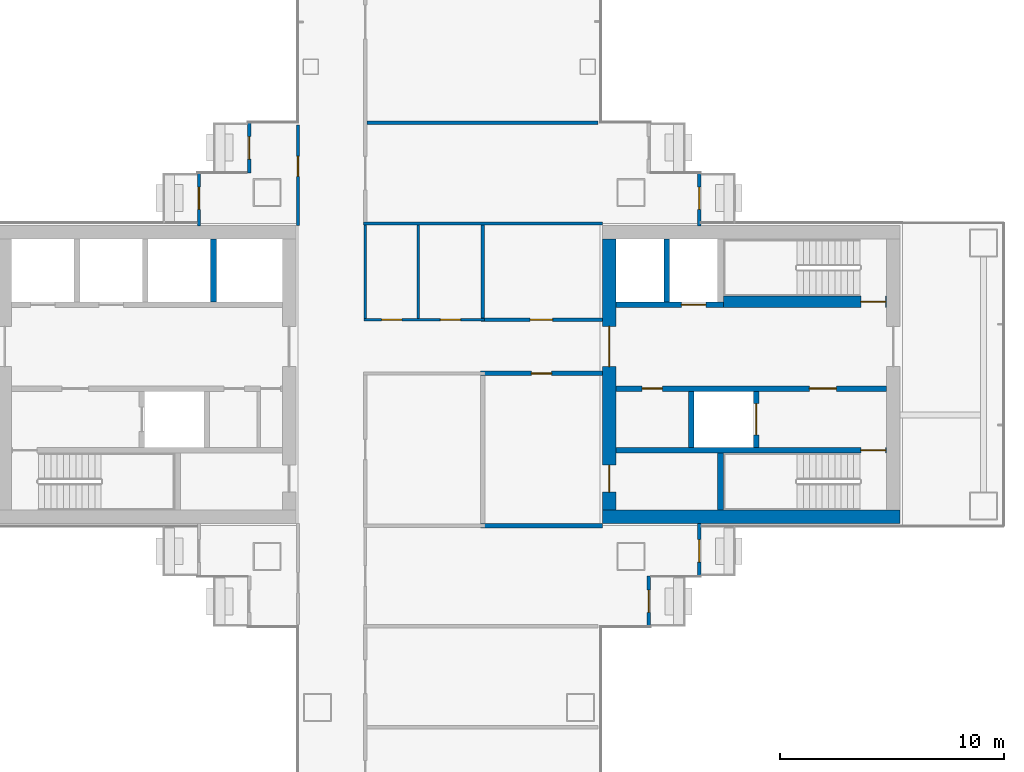
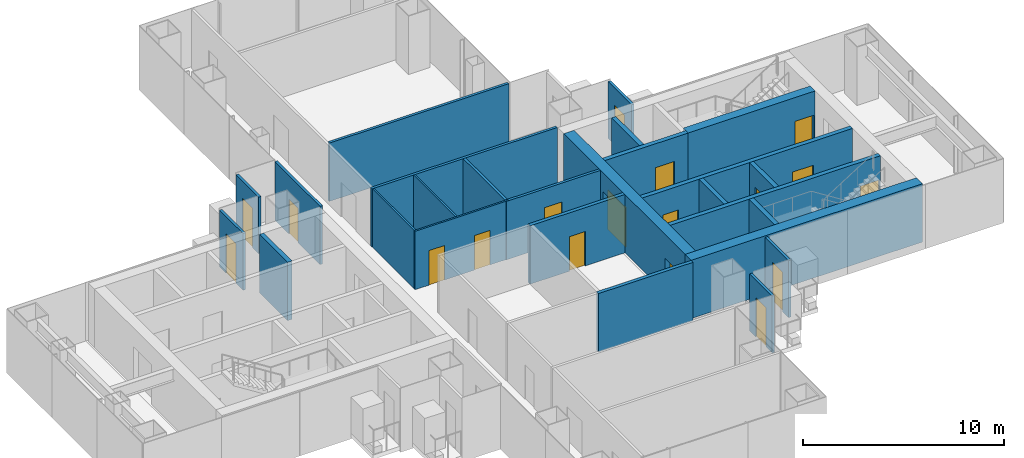
# One storey, part 15 of 20: 26 walls, 18 doors, 18 openings.
"""IFC4 building model written with IfcOpenShell, lengths in metres."""

from ifc_helpers import new_model, si_unit, direction, frame, frame_2d, origin, place, context, subcontext, project, spatial, rectangle, extrude, material, layer, layer_set, type_object, element, fill, save


model = new_model("IFC4")

# Units and contexts
model_context = context("Model", 3, precision=1e-05, world=origin(), true_north=direction((0.0, 1.0)))
body_context = subcontext(model_context, "Body", "Model", "MODEL_VIEW")
ifc_project = project(units=[si_unit("LENGTHUNIT", "METRE"), si_unit("AREAUNIT", "SQUARE_METRE"), si_unit("VOLUMEUNIT", "CUBIC_METRE"), si_unit("PLANEANGLEUNIT", "RADIAN"), si_unit("MASSUNIT", "GRAM", prefix="KILO")], contexts=[model_context])

# Site, building, storey
site_placement = place(None, origin())
site = spatial("IfcSite", under=ifc_project, at=site_placement, CompositionType="ELEMENT")
building_placement = place(site_placement, origin())
building = spatial("IfcBuilding", under=site, at=building_placement, Name="Shamsa Quay Exchange Towers", CompositionType="ELEMENT")
storey_placement = place(building_placement, frame((0.0, 0.0, 109.199951171875)))
storey = spatial("IfcBuildingStorey", under=building, at=storey_placement, Name="L25", CompositionType="ELEMENT", Elevation=109.199951171875)

# Wall, opening, door
ifc_material_1 = material(Name="Aluminium EN AW-6063 T6, black anodised, with black enamelled glass infill", Category="aluminium")
ifc_layer_1 = layer(ifc_material_1, 0.14990234375)
ifc_layer_set_1 = layer_set([ifc_layer_1], Name="BALCONY DOOR BAY WALL 150")
wall_type_1 = type_object("IfcWallType", Name="BALCONY DOOR BAY WALL 150", PredefinedType="SOLIDWALL", material=ifc_layer_set_1)
wall_1_placement = place(storey_placement, frame((24.824951171875, 9.0, 0.0), z_axis=(0.0, 0.0, 1.0), x_axis=(0.0, 1.0, 0.0)))
wall_1 = element("IfcWall", 1, at=wall_1_placement, inside=storey, type_object=wall_type_1, Name="Door bay T2-PKEN L25", PredefinedType="SOLIDWALL", context=body_context, shape_type="SweptSolid", body=[
    extrude(rectangle(XDim=2.25, YDim=0.14990234375, at=frame_2d((1.125, 0.0))), origin(), (0.0, 0.0, 1.0), 3.449951171875),
])
opening_1_placement = place(wall_1_placement, frame((0.625, 0.0, 0.0)))
opening_1 = element("IfcOpeningElement", 2, at=opening_1_placement, cuts=wall_1, Name="Opening XD161", PredefinedType="OPENING", context=body_context, shape_type="SweptSolid", body=[
    extrude(rectangle(XDim=1.0, YDim=2.39990234375, at=frame_2d((0.5, 1.199951171875))), frame((0.0, 0.0849609375, 0.0), z_axis=(0.0, -1.0, 0.0), x_axis=(1.0, 0.0, 0.0)), (0.0, 0.0, 1.0), 0.169921875),
])
ifc_material_2 = material(Name="Aluminium EN AW-6063 T6, black anodised, with laminated glass leaf", Category="aluminium")
door_type_1 = type_object("IfcDoorType", Name="BALCONY DOOR 1000x2400", OperationType="SINGLE_SWING_LEFT", PredefinedType="DOOR", material=ifc_material_2)
door_1_placement = place(opening_1_placement, origin())
door_1 = element("IfcDoor", 3, at=door_1_placement, inside=storey, type_object=door_type_1, Name="Balcony door T2-PKEN L25", OperationType="SINGLE_SWING_RIGHT", OverallHeight=2.39990234375, OverallWidth=1.0, PredefinedType="DOOR", context=body_context, shape_type="SweptSolid", body=[
    extrude(rectangle(XDim=1.0, YDim=2.39990234375, at=frame_2d((0.5, 1.199951171875))), frame((0.0, 0.02490234375, 0.0), z_axis=(0.0, -1.0, 0.0), x_axis=(1.0, 0.0, 0.0)), (0.0, 0.0, 1.0), 0.050048828125),
])
fill(opening_1, door_1)

wall_2_placement = place(storey_placement, frame((22.574951171875, 6.64306640625, 0.0), z_axis=(0.0, 0.0, 1.0), x_axis=(0.0, 1.0, 0.0)))
wall_2 = element("IfcWall", 4, at=wall_2_placement, inside=storey, type_object=wall_type_1, Name="Door bay T2-PKEN L25", PredefinedType="SOLIDWALL", context=body_context, shape_type="SweptSolid", body=[
    extrude(rectangle(XDim=2.35693359375, YDim=0.14990234375, at=frame_2d((1.178466796875, 0.0))), origin(), (0.0, 0.0, 1.0), 3.449951171875),
])
opening_2_placement = place(wall_2_placement, frame((0.73193359375, 0.0, 0.0)))
opening_2 = element("IfcOpeningElement", 5, at=opening_2_placement, cuts=wall_2, Name="Opening XD162", PredefinedType="OPENING", context=body_context, shape_type="SweptSolid", body=[
    extrude(rectangle(XDim=1.0, YDim=2.39990234375, at=frame_2d((0.5, 1.199951171875))), frame((0.0, 0.0849609375, 0.0), z_axis=(0.0, -1.0, 0.0), x_axis=(1.0, 0.0, 0.0)), (0.0, 0.0, 1.0), 0.169921875),
])
door_2_placement = place(opening_2_placement, origin())
door_2 = element("IfcDoor", 6, at=door_2_placement, inside=storey, type_object=door_type_1, Name="Balcony door T2-PKEN L25", OperationType="SINGLE_SWING_LEFT", OverallHeight=2.39990234375, OverallWidth=1.0, PredefinedType="DOOR", context=body_context, shape_type="SweptSolid", body=[
    extrude(rectangle(XDim=1.0, YDim=2.39990234375, at=frame_2d((0.5, 1.199951171875))), frame((0.0, 0.02490234375, 0.0), z_axis=(0.0, -1.0, 0.0), x_axis=(1.0, 0.0, 0.0)), (0.0, 0.0, 1.0), 0.050048828125),
])
fill(opening_2, door_2)

wall_3_placement = place(storey_placement, frame((44.925048828125, 9.0, 0.0), z_axis=(0.0, 0.0, 1.0), x_axis=(0.0, -1.0, 0.0)))
wall_3 = element("IfcWall", 7, at=wall_3_placement, inside=storey, type_object=wall_type_1, Name="Door bay T2-PKES L25", PredefinedType="SOLIDWALL", context=body_context, shape_type="SweptSolid", body=[
    extrude(rectangle(XDim=2.35693359375, YDim=0.14990234375, at=frame_2d((1.178466796875, 0.0))), origin(), (0.0, 0.0, 1.0), 3.449951171875),
])
opening_3_placement = place(wall_3_placement, frame((0.625, 0.0, 0.0)))
opening_3 = element("IfcOpeningElement", 8, at=opening_3_placement, cuts=wall_3, Name="Opening XD164", PredefinedType="OPENING", context=body_context, shape_type="SweptSolid", body=[
    extrude(rectangle(XDim=1.0, YDim=2.39990234375, at=frame_2d((0.5, 1.199951171875))), frame((0.0, 0.0849609375, 0.0), z_axis=(0.0, -1.0, 0.0), x_axis=(1.0, 0.0, 0.0)), (0.0, 0.0, 1.0), 0.169921875),
])
door_3_placement = place(opening_3_placement, origin())
door_3 = element("IfcDoor", 9, at=door_3_placement, inside=storey, type_object=door_type_1, Name="Balcony door T2-PKES L25", OperationType="SINGLE_SWING_LEFT", OverallHeight=2.39990234375, OverallWidth=1.0, PredefinedType="DOOR", context=body_context, shape_type="SweptSolid", body=[
    extrude(rectangle(XDim=1.0, YDim=2.39990234375, at=frame_2d((0.5, 1.199951171875))), frame((0.0, 0.02490234375, 0.0), z_axis=(0.0, -1.0, 0.0), x_axis=(1.0, 0.0, 0.0)), (0.0, 0.0, 1.0), 0.050048828125),
])
fill(opening_3, door_3)

wall_4_placement = place(storey_placement, frame((42.675048828125, -9.0, 0.0), z_axis=(0.0, 0.0, 1.0), x_axis=(0.0, -1.0, 0.0)))
wall_4 = element("IfcWall", 10, at=wall_4_placement, inside=storey, type_object=wall_type_1, Name="Door bay T2-PKWS L25", PredefinedType="SOLIDWALL", context=body_context, shape_type="SweptSolid", body=[
    extrude(rectangle(XDim=2.25, YDim=0.14990234375, at=frame_2d((1.125, 0.0))), origin(), (0.0, 0.0, 1.0), 3.449951171875),
])
opening_4_placement = place(wall_4_placement, frame((0.625, 0.0, 0.0)))
opening_4 = element("IfcOpeningElement", 11, at=opening_4_placement, cuts=wall_4, Name="Opening XD167", PredefinedType="OPENING", context=body_context, shape_type="SweptSolid", body=[
    extrude(rectangle(XDim=1.0, YDim=2.39990234375, at=frame_2d((0.5, 1.199951171875))), frame((0.0, 0.0849609375, 0.0), z_axis=(0.0, -1.0, 0.0), x_axis=(1.0, 0.0, 0.0)), (0.0, 0.0, 1.0), 0.169921875),
])
door_4_placement = place(opening_4_placement, origin())
door_4 = element("IfcDoor", 12, at=door_4_placement, inside=storey, type_object=door_type_1, Name="Balcony door T2-PKWS L25", OperationType="SINGLE_SWING_LEFT", OverallHeight=2.39990234375, OverallWidth=1.0, PredefinedType="DOOR", context=body_context, shape_type="SweptSolid", body=[
    extrude(rectangle(XDim=1.0, YDim=2.39990234375, at=frame_2d((0.5, 1.199951171875))), frame((0.0, 0.02490234375, 0.0), z_axis=(0.0, -1.0, 0.0), x_axis=(1.0, 0.0, 0.0)), (0.0, 0.0, 1.0), 0.050048828125),
])
fill(opening_4, door_4)

wall_5_placement = place(storey_placement, frame((44.925048828125, -6.64306640625, 0.0), z_axis=(0.0, 0.0, 1.0), x_axis=(0.0, -1.0, 0.0)))
wall_5 = element("IfcWall", 13, at=wall_5_placement, inside=storey, type_object=wall_type_1, Name="Door bay T2-PKWS L25", PredefinedType="SOLIDWALL", context=body_context, shape_type="SweptSolid", body=[
    extrude(rectangle(XDim=2.35693359375, YDim=0.14990234375, at=frame_2d((1.178466796875, 0.0))), origin(), (0.0, 0.0, 1.0), 3.449951171875),
])
opening_5_placement = place(wall_5_placement, frame((0.73193359375, 0.0, 0.0)))
opening_5 = element("IfcOpeningElement", 14, at=opening_5_placement, cuts=wall_5, Name="Opening XD168", PredefinedType="OPENING", context=body_context, shape_type="SweptSolid", body=[
    extrude(rectangle(XDim=1.0, YDim=2.39990234375, at=frame_2d((0.5, 1.199951171875))), frame((0.0, 0.0849609375, 0.0), z_axis=(0.0, -1.0, 0.0), x_axis=(1.0, 0.0, 0.0)), (0.0, 0.0, 1.0), 0.169921875),
])
door_5_placement = place(opening_5_placement, origin())
door_5 = element("IfcDoor", 15, at=door_5_placement, inside=storey, type_object=door_type_1, Name="Balcony door T2-PKWS L25", OperationType="SINGLE_SWING_RIGHT", OverallHeight=2.39990234375, OverallWidth=1.0, PredefinedType="DOOR", context=body_context, shape_type="SweptSolid", body=[
    extrude(rectangle(XDim=1.0, YDim=2.39990234375, at=frame_2d((0.5, 1.199951171875))), frame((0.0, 0.02490234375, 0.0), z_axis=(0.0, -1.0, 0.0), x_axis=(1.0, 0.0, 0.0)), (0.0, 0.0, 1.0), 0.050048828125),
])
fill(opening_5, door_5)

# Wall
ifc_material_3 = material(Name="Concrete C70/85", Category="concrete")
ifc_layer_2 = layer(ifc_material_3, 0.60009765625)
ifc_layer_set_2 = layer_set([ifc_layer_2], Name="CORE WALL 600 C70/85")
wall_type_2 = type_object("IfcWallType", Name="CORE WALL 600 C70/85", PredefinedType="SHEAR", material=ifc_layer_set_2)
wall_6_placement = place(storey_placement, frame((53.89990234375, -6.35009765625, 0.0), z_axis=(0.0, 0.0, 1.0), x_axis=(-1.0, 0.0, 0.0)))
element("IfcWall", 16, at=wall_6_placement, inside=storey, type_object=wall_type_2, Name="Core wall T2B-R11-PS", PredefinedType="SHEAR", context=body_context, shape_type="SweptSolid", body=[
    extrude(rectangle(XDim=13.2998046875, YDim=0.60009765625, at=frame_2d((6.64990234375, 0.0))), origin(), (0.0, 0.0, 1.0), 3.550048828125),
])

# Wall, openings, doors
wall_7_placement = place(storey_placement, frame((40.89990234375, -6.050048828125, 0.0), z_axis=(0.0, 0.0, 1.0), x_axis=(0.0, 1.0, 0.0)))
wall_7 = element("IfcWall", 17, at=wall_7_placement, inside=storey, type_object=wall_type_2, Name="Core wall T2B-R11-PB", PredefinedType="SHEAR", context=body_context, shape_type="SweptSolid", body=[
    extrude(rectangle(XDim=12.10009765625, YDim=0.60009765625, at=frame_2d((6.050048828125, 0.0))), origin(), (0.0, 0.0, 1.0), 3.550048828125),
])
opening_6_placement = place(wall_7_placement, frame((0.800048828125, 0.0, 0.0)))
opening_6 = element("IfcOpeningElement", 18, at=opening_6_placement, cuts=wall_7, Name="Opening T2B-R11-RD02", PredefinedType="OPENING", context=body_context, shape_type="SweptSolid", body=[
    extrude(rectangle(XDim=1.199951171875, YDim=2.10009765625, at=frame_2d((0.60009765625, 1.050048828125))), frame((0.0, 0.31005859375, 0.0), z_axis=(0.0, -1.0, 0.0), x_axis=(1.0, 0.0, 0.0)), (0.0, 0.0, 1.0), 0.6201171875),
])
opening_7_placement = place(wall_7_placement, frame((6.39990234375, 0.0, 0.0)))
opening_7 = element("IfcOpeningElement", 19, at=opening_7_placement, cuts=wall_7, Name="Opening T2B-R11-LBD03", PredefinedType="OPENING", context=body_context, shape_type="SweptSolid", body=[
    extrude(rectangle(XDim=1.800048828125, YDim=2.39990234375, at=frame_2d((0.89990234375, 1.199951171875))), frame((0.0, 0.31005859375, 0.0), z_axis=(0.0, -1.0, 0.0), x_axis=(1.0, 0.0, 0.0)), (0.0, 0.0, 1.0), 0.6201171875),
])
ifc_material_4 = material(Name="Steel, fire rated", Category="steel")
door_type_2 = type_object("IfcDoorType", Name="LIFT LOBBY DOOR PAIR 1800", OperationType="DOUBLE_DOOR_SINGLE_SWING", PredefinedType="DOOR", material=ifc_material_4)
door_6_placement = place(opening_7_placement, origin())
door_6 = element("IfcDoor", 20, at=door_6_placement, inside=storey, type_object=door_type_2, Name="T2B-R11-LBD03", OperationType="DOUBLE_DOOR_SINGLE_SWING", OverallHeight=2.39990234375, OverallWidth=1.800048828125, PredefinedType="DOOR", context=body_context, shape_type="SweptSolid", body=[
    extrude(rectangle(XDim=1.800048828125, YDim=2.39990234375, at=frame_2d((0.89990234375, 1.199951171875))), frame((0.0, 0.02490234375, 0.0), z_axis=(0.0, -1.0, 0.0), x_axis=(1.0, 0.0, 0.0)), (0.0, 0.0, 1.0), 0.050048828125),
])
fill(opening_7, door_6)
door_type_3 = type_object("IfcDoorType", Name="RISER ACCESS DOOR 1200", OperationType="SINGLE_SWING_LEFT", PredefinedType="DOOR", material=ifc_material_4)
door_7_placement = place(opening_6_placement, origin())
door_7 = element("IfcDoor", 21, at=door_7_placement, inside=storey, type_object=door_type_3, Name="T2B-R11-RD02", OperationType="SINGLE_SWING_LEFT", OverallHeight=2.10009765625, OverallWidth=1.199951171875, PredefinedType="DOOR", context=body_context, shape_type="SweptSolid", body=[
    extrude(rectangle(XDim=1.199951171875, YDim=2.10009765625, at=frame_2d((0.60009765625, 1.050048828125))), frame((0.0, 0.02490234375, 0.0), z_axis=(0.0, -1.0, 0.0), x_axis=(1.0, 0.0, 0.0)), (0.0, 0.0, 1.0), 0.050048828125),
])
fill(opening_6, door_7)

ifc_material_5 = material(Name="Gypsum board partition on metal studs")
ifc_layer_3 = layer(ifc_material_5, 0.10009765625)
ifc_layer_set_3 = layer_set([ifc_layer_3], Name="Partition 100 mm NOT RATED")
wall_type_3 = type_object("IfcWallType", Name="Partition 100 mm NOT RATED", PredefinedType="PARTITIONING", material=ifc_layer_set_3)
wall_8_placement = place(storey_placement, frame((29.949951171875, 2.4501953125, 0.0)))
wall_8 = element("IfcWall", 22, at=wall_8_placement, inside=storey, type_object=wall_type_3, Name="Partition T2-R11-W05", PredefinedType="PARTITIONING", context=body_context, shape_type="SweptSolid", body=[
    extrude(rectangle(XDim=5.375, YDim=0.10009765625, at=frame_2d((2.6875, 0.0))), origin(), (0.0, 0.0, 1.0), 3.550048828125),
])
opening_8_placement = place(wall_8_placement, frame((3.41259765625, 0.0, 0.0)))
opening_8 = element("IfcOpeningElement", 23, at=opening_8_placement, cuts=wall_8, Name="Opening T2-R11-D03", PredefinedType="OPENING", context=body_context, shape_type="SweptSolid", body=[
    extrude(rectangle(XDim=0.89990234375, YDim=2.10009765625, at=frame_2d((0.449951171875, 1.050048828125))), frame((0.0, 0.06005859375, 0.0), z_axis=(0.0, -1.0, 0.0), x_axis=(1.0, 0.0, 0.0)), (0.0, 0.0, 1.0), 0.1201171875),
])
opening_9_placement = place(wall_8_placement, frame((0.78759765625, 0.0, 0.0)))
opening_9 = element("IfcOpeningElement", 24, at=opening_9_placement, cuts=wall_8, Name="Opening T2-R11-D04", PredefinedType="OPENING", context=body_context, shape_type="SweptSolid", body=[
    extrude(rectangle(XDim=0.89990234375, YDim=2.10009765625, at=frame_2d((0.449951171875, 1.050048828125))), frame((0.0, 0.06005859375, 0.0), z_axis=(0.0, -1.0, 0.0), x_axis=(1.0, 0.0, 0.0)), (0.0, 0.0, 1.0), 0.1201171875),
])
ifc_material_6 = material(Name="Timber door leaf in a metal frame", Category="wood")
door_type_4 = type_object("IfcDoorType", Name="Door 900x2100 NOT RATED", OperationType="NOTDEFINED", PredefinedType="DOOR", material=ifc_material_6)
door_8_placement = place(opening_8_placement, origin())
door_8 = element("IfcDoor", 25, at=door_8_placement, inside=storey, type_object=door_type_4, Name="Door T2-R11-D03", OperationType="SINGLE_SWING_RIGHT", OverallHeight=2.10009765625, OverallWidth=0.89990234375, PredefinedType="DOOR", context=body_context, shape_type="SweptSolid", body=[
    extrude(rectangle(XDim=0.89990234375, YDim=2.10009765625, at=frame_2d((0.449951171875, 1.050048828125))), frame((0.0, 0.02490234375, 0.0), z_axis=(0.0, -1.0, 0.0), x_axis=(1.0, 0.0, 0.0)), (0.0, 0.0, 1.0), 0.050048828125),
])
fill(opening_8, door_8)
door_9_placement = place(opening_9_placement, origin())
door_9 = element("IfcDoor", 26, at=door_9_placement, inside=storey, type_object=door_type_4, Name="Door T2-R11-D04", OperationType="SINGLE_SWING_LEFT", OverallHeight=2.10009765625, OverallWidth=0.89990234375, PredefinedType="DOOR", context=body_context, shape_type="SweptSolid", body=[
    extrude(rectangle(XDim=0.89990234375, YDim=2.10009765625, at=frame_2d((0.449951171875, 1.050048828125))), frame((0.0, 0.02490234375, 0.0), z_axis=(0.0, -1.0, 0.0), x_axis=(1.0, 0.0, 0.0)), (0.0, 0.0, 1.0), 0.050048828125),
])
fill(opening_9, door_9)

# Walls
for number, where, z_axis, x_axis, name in (
    (27, (30.0, 6.675048828125, 0.0), (0.0, 0.0, 1.0), (0.0, -1.0, 0.0), "Partition T2-R11-W06"),
    (28, (32.375, 6.675048828125, 0.0), (0.0, 0.0, 1.0), (0.0, -1.0, 0.0), "Partition T2-R11-W16"),
):
    element("IfcWall", number, at=place(storey_placement, frame(where, z_axis=z_axis, x_axis=x_axis)), inside=storey, type_object=wall_type_3, Name=name, PredefinedType="PARTITIONING", context=body_context, shape_type="SweptSolid", body=[
        extrude(rectangle(XDim=4.1748046875, YDim=0.10009765625, at=frame_2d((2.08740234375, 0.0))), origin(), (0.0, 0.0, 1.0), 3.550048828125),
    ])

# Wall, opening, door
ifc_layer_4 = layer(ifc_material_5, 0.14990234375)
ifc_layer_set_4 = layer_set([ifc_layer_4], Name="Partition 150 mm EI 60")
wall_type_4 = type_object("IfcWallType", Name="Partition 150 mm EI 60", PredefinedType="PARTITIONING", material=ifc_layer_set_4)
wall_9_placement = place(storey_placement, frame((35.175048828125, 2.4501953125, 0.0)))
wall_9 = element("IfcWall", 29, at=wall_9_placement, inside=storey, type_object=wall_type_4, Name="Partition T2-R11-W04", PredefinedType="PARTITIONING", context=body_context, shape_type="SweptSolid", body=[
    extrude(rectangle(XDim=5.425048828125, YDim=0.14990234375, at=frame_2d((2.71240234375, 0.0))), origin(), (0.0, 0.0, 1.0), 3.550048828125),
])
opening_10_placement = place(wall_9_placement, frame((2.199951171875, 0.0, 0.0)))
opening_10 = element("IfcOpeningElement", 30, at=opening_10_placement, cuts=wall_9, Name="Opening T2-R11-D01", PredefinedType="OPENING", context=body_context, shape_type="SweptSolid", body=[
    extrude(rectangle(XDim=1.0, YDim=2.39990234375, at=frame_2d((0.5, 1.199951171875))), frame((0.0, 0.0849609375, 0.0), z_axis=(0.0, -1.0, 0.0), x_axis=(1.0, 0.0, 0.0)), (0.0, 0.0, 1.0), 0.169921875),
])
door_type_5 = type_object("IfcDoorType", Name="Door 1000x2400 FD30S", OperationType="NOTDEFINED", PredefinedType="DOOR", material=ifc_material_6)
door_10_placement = place(opening_10_placement, origin())
door_10 = element("IfcDoor", 31, at=door_10_placement, inside=storey, type_object=door_type_5, Name="Door T2-R11-D01", OperationType="SINGLE_SWING_LEFT", OverallHeight=2.39990234375, OverallWidth=1.0, PredefinedType="DOOR", context=body_context, shape_type="SweptSolid", body=[
    extrude(rectangle(XDim=1.0, YDim=2.39990234375, at=frame_2d((0.5, 1.199951171875))), frame((0.0, 0.02490234375, 0.0), z_axis=(0.0, -1.0, 0.0), x_axis=(1.0, 0.0, 0.0)), (0.0, 0.0, 1.0), 0.050048828125),
])
fill(opening_10, door_10)

wall_10_placement = place(storey_placement, frame((27.0, 6.64990234375, 0.0), z_axis=(0.0, 0.0, 1.0), x_axis=(0.0, 1.0, 0.0)))
wall_10 = element("IfcWall", 32, at=wall_10_placement, inside=storey, type_object=wall_type_4, Name="Partition T2-R11-W10", PredefinedType="PARTITIONING", context=body_context, shape_type="SweptSolid", body=[
    extrude(rectangle(XDim=4.505126953125, YDim=0.14990234375, at=frame_2d((2.25244140625, 0.0))), origin(), (0.0, 0.0, 1.0), 3.550048828125),
])
opening_11_placement = place(wall_10_placement, frame((2.199951171875, 0.0, 0.0)))
opening_11 = element("IfcOpeningElement", 33, at=opening_11_placement, cuts=wall_10, Name="Opening T2-R11-D13", PredefinedType="OPENING", context=body_context, shape_type="SweptSolid", body=[
    extrude(rectangle(XDim=0.89990234375, YDim=2.10009765625, at=frame_2d((0.449951171875, 1.050048828125))), frame((0.0, 0.0849609375, 0.0), z_axis=(0.0, -1.0, 0.0), x_axis=(1.0, 0.0, 0.0)), (0.0, 0.0, 1.0), 0.169921875),
])
door_type_6 = type_object("IfcDoorType", Name="Door 900x2100 FD30S", OperationType="NOTDEFINED", PredefinedType="DOOR", material=ifc_material_6)
door_11_placement = place(opening_11_placement, origin())
door_11 = element("IfcDoor", 34, at=door_11_placement, inside=storey, type_object=door_type_6, Name="Door T2-R11-D13", OperationType="SINGLE_SWING_RIGHT", OverallHeight=2.10009765625, OverallWidth=0.89990234375, PredefinedType="DOOR", context=body_context, shape_type="SweptSolid", body=[
    extrude(rectangle(XDim=0.89990234375, YDim=2.10009765625, at=frame_2d((0.449951171875, 1.050048828125))), frame((0.0, 0.02490234375, 0.0), z_axis=(0.0, -1.0, 0.0), x_axis=(1.0, 0.0, 0.0)), (0.0, 0.0, 1.0), 0.050048828125),
])
fill(opening_11, door_11)

# Walls
wall_11_placement = place(storey_placement, frame((40.405029296875, 11.25, 0.0), z_axis=(0.0, 0.0, 1.0), x_axis=(-1.0, 0.0, 0.0)))
element("IfcWall", 35, at=wall_11_placement, inside=storey, type_object=wall_type_4, Name="Partition T2-R11-W12", PredefinedType="PARTITIONING", context=body_context, shape_type="SweptSolid", body=[
    extrude(rectangle(XDim=10.330078125, YDim=0.14990234375, at=frame_2d((5.1650390625, 0.0))), origin(), (0.0, 0.0, 1.0), 3.550048828125),
])
wall_12_placement = place(storey_placement, frame((29.925048828125, 6.75, 0.0)))
element("IfcWall", 36, at=wall_12_placement, inside=storey, type_object=wall_type_4, Name="Partition T2-R11-W13", PredefinedType="PARTITIONING", context=body_context, shape_type="SweptSolid", body=[
    extrude(rectangle(XDim=10.675048828125, YDim=0.14990234375, at=frame_2d((5.33740234375, 0.0))), origin(), (0.0, 0.0, 1.0), 3.550048828125),
])
wall_13_placement = place(storey_placement, frame((35.25, 6.675048828125, 0.0), z_axis=(0.0, 0.0, 1.0), x_axis=(0.0, -1.0, 0.0)))
element("IfcWall", 37, at=wall_13_placement, inside=storey, type_object=wall_type_4, Name="Partition T2-R11-W15", PredefinedType="PARTITIONING", context=body_context, shape_type="SweptSolid", body=[
    extrude(rectangle(XDim=4.14990234375, YDim=0.14990234375, at=frame_2d((2.074951171875, 0.0))), origin(), (0.0, 0.0, 1.0), 3.550048828125),
])

# Wall, opening, door
ifc_layer_5 = layer(ifc_material_5, 0.199951171875)
ifc_layer_set_5 = layer_set([ifc_layer_5], Name="Partition 200 mm EI 120")
wall_type_5 = type_object("IfcWallType", Name="Partition 200 mm EI 120", PredefinedType="PARTITIONING", material=ifc_layer_set_5)
wall_14_placement = place(storey_placement, frame((40.60009765625, 0.0498046875, 0.0), z_axis=(0.0, 0.0, 1.0), x_axis=(-1.0, 0.0, 0.0)))
wall_14 = element("IfcWall", 38, at=wall_14_placement, inside=storey, type_object=wall_type_5, Name="Partition T2-R11-W08", PredefinedType="PARTITIONING", context=body_context, shape_type="SweptSolid", body=[
    extrude(rectangle(XDim=5.4501953125, YDim=0.199951171875, at=frame_2d((2.72509765625, 0.0))), origin(), (0.0, 0.0, 1.0), 3.550048828125),
])
opening_12_placement = place(wall_14_placement, frame((2.27490234375, 0.0, 0.0)))
opening_12 = element("IfcOpeningElement", 39, at=opening_12_placement, cuts=wall_14, Name="Opening T2-R11-D02", PredefinedType="OPENING", context=body_context, shape_type="SweptSolid", body=[
    extrude(rectangle(XDim=0.89990234375, YDim=2.10009765625, at=frame_2d((0.449951171875, 1.050048828125))), frame((0.0, 0.10986328125, 0.0), z_axis=(0.0, -1.0, 0.0), x_axis=(1.0, 0.0, 0.0)), (0.0, 0.0, 1.0), 0.219970703125),
])
door_type_7 = type_object("IfcDoorType", Name="Door 900x2100 FD60", OperationType="NOTDEFINED", PredefinedType="DOOR", material=ifc_material_6)
door_12_placement = place(opening_12_placement, origin())
door_12 = element("IfcDoor", 40, at=door_12_placement, inside=storey, type_object=door_type_7, Name="Door T2-R11-D02", OperationType="SINGLE_SWING_LEFT", OverallHeight=2.10009765625, OverallWidth=0.89990234375, PredefinedType="DOOR", context=body_context, shape_type="SweptSolid", body=[
    extrude(rectangle(XDim=0.89990234375, YDim=2.10009765625, at=frame_2d((0.449951171875, 1.050048828125))), frame((0.0, 0.02490234375, 0.0), z_axis=(0.0, -1.0, 0.0), x_axis=(1.0, 0.0, 0.0)), (0.0, 0.0, 1.0), 0.050048828125),
])
fill(opening_12, door_12)

# Walls
wall_15_placement = place(storey_placement, frame((40.60009765625, -6.75, 0.0), z_axis=(0.0, 0.0, 1.0), x_axis=(-1.0, 0.0, 0.0)))
element("IfcWall", 41, at=wall_15_placement, inside=storey, type_object=wall_type_5, Name="Partition T2-R11-W18", PredefinedType="PARTITIONING", context=body_context, shape_type="SweptSolid", body=[
    extrude(rectangle(XDim=5.4501953125, YDim=0.199951171875, at=frame_2d((2.72509765625, 0.0))), origin(), (0.0, 0.0, 1.0), 3.550048828125),
])
ifc_material_7 = material(Name="Concrete C50/60", Category="concrete")
ifc_layer_6 = layer(ifc_material_7, 0.25)
ifc_layer_set_6 = layer_set([ifc_layer_6], Name="SHAFT WALL 250 C50/60")
wall_type_6 = type_object("IfcWallType", Name="SHAFT WALL 250 C50/60", PredefinedType="SHEAR", material=ifc_layer_set_6)
wall_16_placement = place(storey_placement, frame((23.22509765625, 3.25, 0.0), z_axis=(0.0, 0.0, 1.0), x_axis=(0.0, 1.0, 0.0)))
element("IfcWall", 42, at=wall_16_placement, inside=storey, type_object=wall_type_6, Name="Shaft wall T2A-R11-D2", PredefinedType="SHEAR", context=body_context, shape_type="SweptSolid", body=[
    extrude(rectangle(XDim=2.800048828125, YDim=0.25, at=frame_2d((1.39990234375, 0.0))), origin(), (0.0, 0.0, 1.0), 3.550048828125),
])

# Wall, opening, door
wall_17_placement = place(storey_placement, frame((53.300048828125, -3.375, 0.0), z_axis=(0.0, 0.0, 1.0), x_axis=(-1.0, 0.0, 0.0)))
wall_17 = element("IfcWall", 43, at=wall_17_placement, inside=storey, type_object=wall_type_6, Name="Shaft wall T2B-R11-STL", PredefinedType="SHEAR", context=body_context, shape_type="SweptSolid", body=[
    extrude(rectangle(XDim=12.10009765625, YDim=0.25, at=frame_2d((6.050048828125, 0.0))), origin(), (0.0, 0.0, 1.0), 3.550048828125),
])
opening_13_placement = place(wall_17_placement, frame((0.050048828125, 0.0, 0.0)))
opening_13 = element("IfcOpeningElement", 44, at=opening_13_placement, cuts=wall_17, Name="Opening T2B-R11-SD04", PredefinedType="OPENING", context=body_context, shape_type="SweptSolid", body=[
    extrude(rectangle(XDim=1.10009765625, YDim=2.10009765625, at=frame_2d((0.550048828125, 1.050048828125))), frame((0.0, 0.135009765625, 0.0), z_axis=(0.0, -1.0, 0.0), x_axis=(1.0, 0.0, 0.0)), (0.0, 0.0, 1.0), 0.27001953125),
])
door_type_8 = type_object("IfcDoorType", Name="STAIR DOOR 1100", OperationType="SINGLE_SWING_LEFT", PredefinedType="DOOR", material=ifc_material_4)
door_13_placement = place(opening_13_placement, origin())
door_13 = element("IfcDoor", 45, at=door_13_placement, inside=storey, type_object=door_type_8, Name="T2B-R11-SD04", OperationType="SINGLE_SWING_LEFT", OverallHeight=2.10009765625, OverallWidth=1.10009765625, PredefinedType="DOOR", context=body_context, shape_type="SweptSolid", body=[
    extrude(rectangle(XDim=1.10009765625, YDim=2.10009765625, at=frame_2d((0.550048828125, 1.050048828125))), frame((0.0, 0.02490234375, 0.0), z_axis=(0.0, -1.0, 0.0), x_axis=(1.0, 0.0, 0.0)), (0.0, 0.0, 1.0), 0.050048828125),
])
fill(opening_13, door_13)

# Wall
wall_18_placement = place(storey_placement, frame((45.875, -6.050048828125, 0.0), z_axis=(0.0, 0.0, 1.0), x_axis=(0.0, 1.0, 0.0)))
element("IfcWall", 46, at=wall_18_placement, inside=storey, type_object=wall_type_6, Name="Shaft wall T2B-R11-STF", PredefinedType="SHEAR", context=body_context, shape_type="SweptSolid", body=[
    extrude(rectangle(XDim=2.550048828125, YDim=0.25, at=frame_2d((1.27490234375, 0.0))), origin(), (0.0, 0.0, 1.0), 3.550048828125),
])

# Wall, openings, doors
wall_19_placement = place(storey_placement, frame((53.300048828125, -0.625, 0.0), z_axis=(0.0, 0.0, 1.0), x_axis=(-1.0, 0.0, 0.0)))
wall_19 = element("IfcWall", 47, at=wall_19_placement, inside=storey, type_object=wall_type_6, Name="Shaft wall T2B-R11-B", PredefinedType="SHEAR", context=body_context, shape_type="SweptSolid", body=[
    extrude(rectangle(XDim=12.10009765625, YDim=0.25, at=frame_2d((6.050048828125, 0.0))), origin(), (0.0, 0.0, 1.0), 3.550048828125),
])
opening_14_placement = place(wall_19_placement, frame((2.25, 0.0, 0.0)))
opening_14 = element("IfcOpeningElement", 48, at=opening_14_placement, cuts=wall_19, Name="Opening T2B-R11-FD05", PredefinedType="OPENING", context=body_context, shape_type="SweptSolid", body=[
    extrude(rectangle(XDim=1.199951171875, YDim=2.10009765625, at=frame_2d((0.60009765625, 1.050048828125))), frame((0.0, 0.135009765625, 0.0), z_axis=(0.0, -1.0, 0.0), x_axis=(1.0, 0.0, 0.0)), (0.0, 0.0, 1.0), 0.27001953125),
])
opening_15_placement = place(wall_19_placement, frame((10.02490234375, 0.0, 0.0)))
opening_15 = element("IfcOpeningElement", 49, at=opening_15_placement, cuts=wall_19, Name="Opening T2B-R11-SV06", PredefinedType="OPENING", context=body_context, shape_type="SweptSolid", body=[
    extrude(rectangle(XDim=0.89990234375, YDim=2.10009765625, at=frame_2d((0.449951171875, 1.050048828125))), frame((0.0, 0.135009765625, 0.0), z_axis=(0.0, -1.0, 0.0), x_axis=(1.0, 0.0, 0.0)), (0.0, 0.0, 1.0), 0.27001953125),
])
door_type_9 = type_object("IfcDoorType", Name="FIRE SERVICE LOBBY DOOR 1200", OperationType="SINGLE_SWING_LEFT", PredefinedType="DOOR", material=ifc_material_4)
door_14_placement = place(opening_14_placement, origin())
door_14 = element("IfcDoor", 50, at=door_14_placement, inside=storey, type_object=door_type_9, Name="T2B-R11-FD05", OperationType="SINGLE_SWING_LEFT", OverallHeight=2.10009765625, OverallWidth=1.199951171875, PredefinedType="DOOR", context=body_context, shape_type="SweptSolid", body=[
    extrude(rectangle(XDim=1.199951171875, YDim=2.10009765625, at=frame_2d((0.60009765625, 1.050048828125))), frame((0.0, 0.02490234375, 0.0), z_axis=(0.0, -1.0, 0.0), x_axis=(1.0, 0.0, 0.0)), (0.0, 0.0, 1.0), 0.050048828125),
])
fill(opening_14, door_14)
door_type_10 = type_object("IfcDoorType", Name="SERVICE ROOM DOOR 900", OperationType="SINGLE_SWING_LEFT", PredefinedType="DOOR", material=ifc_material_4)
door_15_placement = place(opening_15_placement, origin())
door_15 = element("IfcDoor", 51, at=door_15_placement, inside=storey, type_object=door_type_10, Name="T2B-R11-SV06", OperationType="SINGLE_SWING_RIGHT", OverallHeight=2.10009765625, OverallWidth=0.89990234375, PredefinedType="DOOR", context=body_context, shape_type="SweptSolid", body=[
    extrude(rectangle(XDim=0.89990234375, YDim=2.10009765625, at=frame_2d((0.449951171875, 1.050048828125))), frame((0.0, 0.02490234375, 0.0), z_axis=(0.0, -1.0, 0.0), x_axis=(1.0, 0.0, 0.0)), (0.0, 0.0, 1.0), 0.050048828125),
])
fill(opening_15, door_15)

# Wall, opening, door
wall_20_placement = place(storey_placement, frame((47.47509765625, -3.25, 0.0), z_axis=(0.0, 0.0, 1.0), x_axis=(0.0, 1.0, 0.0)))
wall_20 = element("IfcWall", 52, at=wall_20_placement, inside=storey, type_object=wall_type_6, Name="Shaft wall T2B-R11-FFF", PredefinedType="SHEAR", context=body_context, shape_type="SweptSolid", body=[
    extrude(rectangle(XDim=2.5, YDim=0.25, at=frame_2d((1.25, 0.0))), origin(), (0.0, 0.0, 1.0), 3.550048828125),
])
opening_16_placement = place(wall_20_placement, frame((0.550048828125, 0.0, 0.0)))
opening_16 = element("IfcOpeningElement", 53, at=opening_16_placement, cuts=wall_20, Name="Opening T2B-R11-LDG07", PredefinedType="OPENING", context=body_context, shape_type="SweptSolid", body=[
    extrude(rectangle(XDim=1.39990234375, YDim=2.39990234375, at=frame_2d((0.699951171875, 1.199951171875))), frame((0.0, 0.135009765625, 0.0), z_axis=(0.0, -1.0, 0.0), x_axis=(1.0, 0.0, 0.0)), (0.0, 0.0, 1.0), 0.27001953125),
])
door_type_11 = type_object("IfcDoorType", Name="GOODS LIFT LANDING DOOR 1400", OperationType="SLIDING_TO_LEFT", PredefinedType="DOOR", material=ifc_material_4)
door_16_placement = place(opening_16_placement, origin())
door_16 = element("IfcDoor", 54, at=door_16_placement, inside=storey, type_object=door_type_11, Name="T2B-R11-LDG07", OperationType="SLIDING_TO_LEFT", OverallHeight=2.39990234375, OverallWidth=1.39990234375, PredefinedType="DOOR", context=body_context, shape_type="SweptSolid", body=[
    extrude(rectangle(XDim=1.39990234375, YDim=2.39990234375, at=frame_2d((0.699951171875, 1.199951171875))), frame((0.0, 0.02490234375, 0.0), z_axis=(0.0, -1.0, 0.0), x_axis=(1.0, 0.0, 0.0)), (0.0, 0.0, 1.0), 0.050048828125),
])
fill(opening_16, door_16)

# Wall
wall_21_placement = place(storey_placement, frame((44.574951171875, -3.25, 0.0), z_axis=(0.0, 0.0, 1.0), x_axis=(0.0, 1.0, 0.0)))
element("IfcWall", 55, at=wall_21_placement, inside=storey, type_object=wall_type_6, Name="Shaft wall T2B-R11-FFB", PredefinedType="SHEAR", context=body_context, shape_type="SweptSolid", body=[
    extrude(rectangle(XDim=2.5, YDim=0.25, at=frame_2d((1.25, 0.0))), origin(), (0.0, 0.0, 1.0), 3.550048828125),
])

# Wall, opening, door
wall_22_placement = place(storey_placement, frame((46.0, 3.125, 0.0), z_axis=(0.0, 0.0, 1.0), x_axis=(-1.0, 0.0, 0.0)))
wall_22 = element("IfcWall", 56, at=wall_22_placement, inside=storey, type_object=wall_type_6, Name="Shaft wall T2B-R11-N2", PredefinedType="SHEAR", context=body_context, shape_type="SweptSolid", body=[
    extrude(rectangle(XDim=4.800048828125, YDim=0.25, at=frame_2d((2.39990234375, 0.0))), origin(), (0.0, 0.0, 1.0), 3.550048828125),
])
opening_17_placement = place(wall_22_placement, frame((0.77490234375, 0.0, 0.0)))
opening_17 = element("IfcOpeningElement", 57, at=opening_17_placement, cuts=wall_22, Name="Opening T2B-R11-LD09", PredefinedType="OPENING", context=body_context, shape_type="SweptSolid", body=[
    extrude(rectangle(XDim=1.10009765625, YDim=2.10009765625, at=frame_2d((0.550048828125, 1.050048828125))), frame((0.0, 0.135009765625, 0.0), z_axis=(0.0, -1.0, 0.0), x_axis=(1.0, 0.0, 0.0)), (0.0, 0.0, 1.0), 0.27001953125),
])
door_type_12 = type_object("IfcDoorType", Name="LANDING DOOR 1100", OperationType="SLIDING_TO_LEFT", PredefinedType="DOOR", material=ifc_material_4)
door_17_placement = place(opening_17_placement, origin())
door_17 = element("IfcDoor", 58, at=door_17_placement, inside=storey, type_object=door_type_12, Name="T2B-R11-LD09", OperationType="SLIDING_TO_LEFT", OverallHeight=2.10009765625, OverallWidth=1.10009765625, PredefinedType="DOOR", context=body_context, shape_type="SweptSolid", body=[
    extrude(rectangle(XDim=1.10009765625, YDim=2.10009765625, at=frame_2d((0.550048828125, 1.050048828125))), frame((0.0, 0.02490234375, 0.0), z_axis=(0.0, -1.0, 0.0), x_axis=(1.0, 0.0, 0.0)), (0.0, 0.0, 1.0), 0.050048828125),
])
fill(opening_17, door_17)

# Wall
wall_23_placement = place(storey_placement, frame((43.47509765625, 3.25, 0.0), z_axis=(0.0, 0.0, 1.0), x_axis=(0.0, 1.0, 0.0)))
element("IfcWall", 59, at=wall_23_placement, inside=storey, type_object=wall_type_6, Name="Shaft wall T2B-R11-D0", PredefinedType="SHEAR", context=body_context, shape_type="SweptSolid", body=[
    extrude(rectangle(XDim=2.800048828125, YDim=0.25, at=frame_2d((1.39990234375, 0.0))), origin(), (0.0, 0.0, 1.0), 3.550048828125),
])

# Wall, opening, door
ifc_layer_7 = layer(ifc_material_7, 0.5)
ifc_layer_set_7 = layer_set([ifc_layer_7], Name="SHAFT WALL 500 C50/60")
wall_type_7 = type_object("IfcWallType", Name="SHAFT WALL 500 C50/60", PredefinedType="SHEAR", material=ifc_layer_set_7)
wall_24_placement = place(storey_placement, frame((46.0, 3.25, 0.0)))
wall_24 = element("IfcWall", 60, at=wall_24_placement, inside=storey, type_object=wall_type_7, Name="Shaft wall T2B-R11-N", PredefinedType="SHEAR", context=body_context, shape_type="SweptSolid", body=[
    extrude(rectangle(XDim=7.300048828125, YDim=0.5, at=frame_2d((3.64990234375, 0.0))), origin(), (0.0, 0.0, 1.0), 3.550048828125),
])
opening_18_placement = place(wall_24_placement, frame((6.14990234375, 0.0, 0.0)))
opening_18 = element("IfcOpeningElement", 61, at=opening_18_placement, cuts=wall_24, Name="Opening T2B-R11-SD08", PredefinedType="OPENING", context=body_context, shape_type="SweptSolid", body=[
    extrude(rectangle(XDim=1.10009765625, YDim=2.10009765625, at=frame_2d((0.550048828125, 1.050048828125))), frame((0.0, 0.260009765625, 0.0), z_axis=(0.0, -1.0, 0.0), x_axis=(1.0, 0.0, 0.0)), (0.0, 0.0, 1.0), 0.52001953125),
])
door_18_placement = place(opening_18_placement, origin())
door_18 = element("IfcDoor", 62, at=door_18_placement, inside=storey, type_object=door_type_8, Name="T2B-R11-SD08", OperationType="SINGLE_SWING_RIGHT", OverallHeight=2.10009765625, OverallWidth=1.10009765625, PredefinedType="DOOR", context=body_context, shape_type="SweptSolid", body=[
    extrude(rectangle(XDim=1.10009765625, YDim=2.10009765625, at=frame_2d((0.550048828125, 1.050048828125))), frame((0.0, 0.02490234375, 0.0), z_axis=(0.0, -1.0, 0.0), x_axis=(1.0, 0.0, 0.0)), (0.0, 0.0, 1.0), 0.050048828125),
])
fill(opening_18, door_18)

save(model, "model.ifc")
